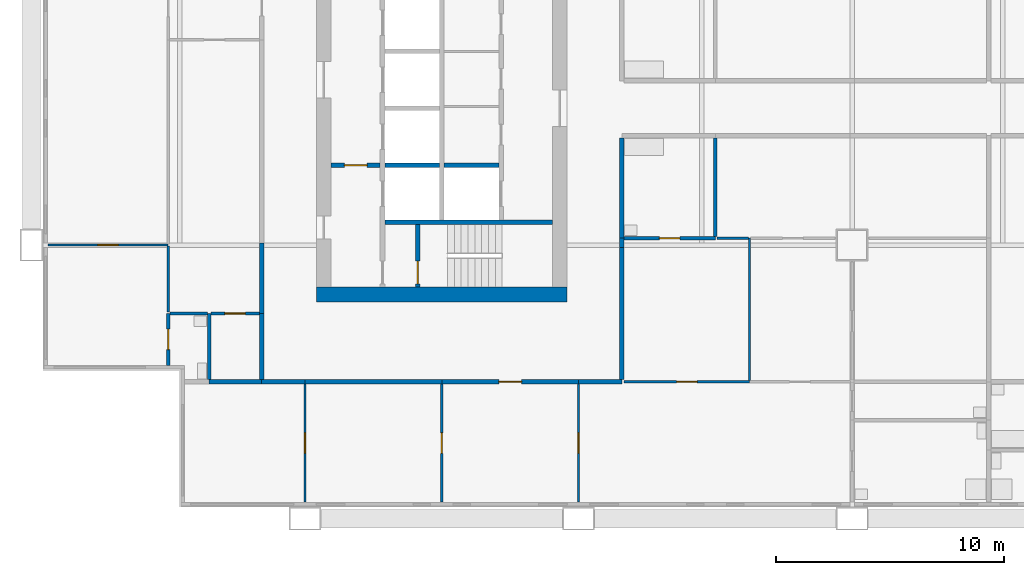
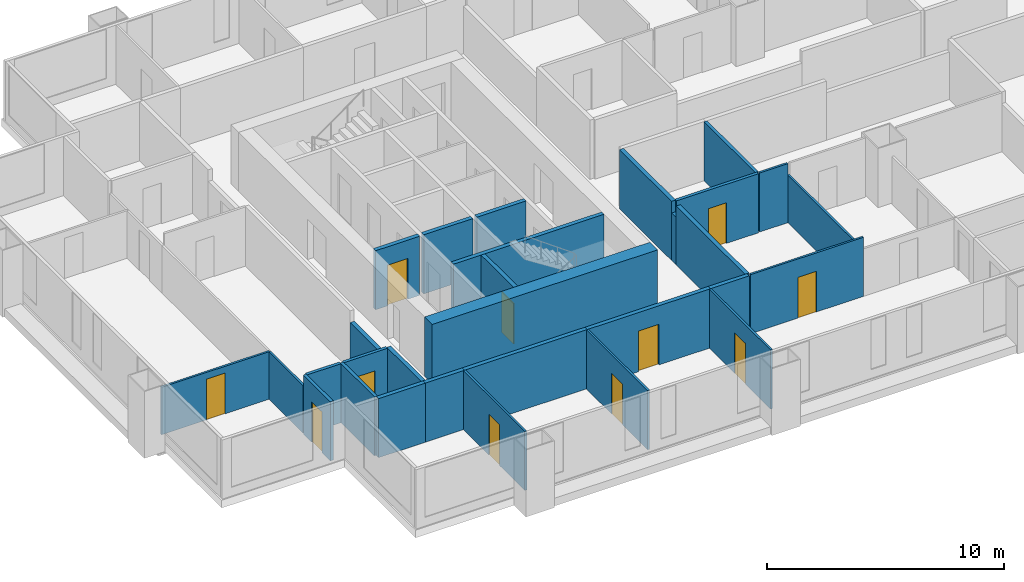
# One storey, part 2 of 11: 30 walls, 11 doors, 11 openings.
"""IFC4 building model written with IfcOpenShell, lengths in metres."""

from ifc_helpers import new_model, si_unit, direction, frame, frame_2d, origin, place, context, subcontext, project, spatial, rectangle, extrude, material, layer, layer_set, type_object, element, fill, save


model = new_model("IFC4")

# Units and contexts
model_context = context("Model", 3, precision=1e-05, world=origin(), true_north=direction((0.0, 1.0)))
body_context = subcontext(model_context, "Body", "Model", "MODEL_VIEW")
ifc_project = project(units=[si_unit("LENGTHUNIT", "METRE"), si_unit("AREAUNIT", "SQUARE_METRE"), si_unit("VOLUMEUNIT", "CUBIC_METRE"), si_unit("PLANEANGLEUNIT", "RADIAN"), si_unit("MASSUNIT", "GRAM", prefix="KILO")], contexts=[model_context])

# Site, building, storey
site_placement = place(None, origin())
site = spatial("IfcSite", under=ifc_project, at=site_placement, CompositionType="ELEMENT")
building_placement = place(site_placement, origin())
building = spatial("IfcBuilding", under=site, at=building_placement, Name="Kitamizu Gate Tower and Museum", CompositionType="ELEMENT")
storey_placement = place(building_placement, frame((0.0, 0.0, 124.199951171875)))
storey = spatial("IfcBuildingStorey", under=building, at=storey_placement, Name="L32", CompositionType="ELEMENT", Elevation=124.199951171875)

# Wall
ifc_material_1 = material(Name="Concrete Fc60", Category="concrete")
ifc_layer_1 = layer(ifc_material_1, 0.64990234375)
ifc_layer_set_1 = layer_set([ifc_layer_1], Name="Concrete Fc60")
wall_type_1 = type_object("IfcWallType", Name="Core wall 650", PredefinedType="SHEAR", material=ifc_layer_set_1)
wall_1_placement = place(storey_placement, frame((12.5, 21.824951171875, 0.0), z_axis=(0.0, 0.0, 1.0), x_axis=(1.0, 0.0, 0.0)))
element("IfcWall", 1, at=wall_1_placement, inside=storey, type_object=wall_type_1, Name="Core wall WS", PredefinedType="SHEAR", context=body_context, shape_type="SweptSolid", body=[
    extrude(rectangle(XDim=11.0, YDim=0.64990234375, at=frame_2d((5.5, 0.0))), origin(), (0.0, 0.0, 1.0), 3.050048828125),
])

# Wall, opening, door
ifc_material_2 = material(Name="Gypsum board on galvanised stud")
ifc_layer_2 = layer(ifc_material_2, 0.10009765625)
ifc_layer_set_2 = layer_set([ifc_layer_2], Name="Gypsum board on galvanised stud")
wall_type_2 = type_object("IfcWallType", Name="Partition 100 NOT RATED", PredefinedType="PARTITIONING", material=ifc_layer_set_2)
wall_2_placement = place(storey_placement, frame((12.0, 12.719970703125, 0.0), z_axis=(0.0, 0.0, 1.0), x_axis=(0.0, 1.0, 0.0)))
wall_2 = element("IfcWall", 2, at=wall_2_placement, inside=storey, type_object=wall_type_2, Name="Partition L32-001", PredefinedType="PARTITIONING", context=body_context, shape_type="SweptSolid", body=[
    extrude(rectangle(XDim=5.179931640625, YDim=0.10009765625, at=frame_2d((2.58984375, 0.0))), origin(), (0.0, 0.0, 1.0), 3.050048828125),
])
opening_1_placement = place(wall_2_placement, frame((2.139892578125, 0.0, 0.0)))
opening_1 = element("IfcOpeningElement", 3, at=opening_1_placement, cuts=wall_2, Name="Opening L32-011", PredefinedType="OPENING", context=body_context, shape_type="SweptSolid", body=[
    extrude(rectangle(XDim=0.89990234375, YDim=2.10009765625, at=frame_2d((0.449951171875, 1.050048828125))), frame((0.0, 0.06005859375, 0.0), z_axis=(0.0, -1.0, 0.0), x_axis=(1.0, 0.0, 0.0)), (0.0, 0.0, 1.0), 0.1201171875),
])
ifc_material_3 = material(Name="Timber door set", Category="wood")
door_type_1 = type_object("IfcDoorType", Name="Room door 900", OperationType="NOTDEFINED", PredefinedType="DOOR", material=ifc_material_3)
door_1_placement = place(opening_1_placement, origin())
door_1 = element("IfcDoor", 4, at=door_1_placement, inside=storey, type_object=door_type_1, Name="Door L32-011", OperationType="SINGLE_SWING_RIGHT", OverallHeight=2.10009765625, OverallWidth=0.89990234375, PredefinedType="DOOR", context=body_context, shape_type="SweptSolid", body=[
    extrude(rectangle(XDim=0.89990234375, YDim=2.10009765625, at=frame_2d((0.449951171875, 1.050048828125))), frame((0.0, 0.02490234375, 0.0), z_axis=(0.0, -1.0, 0.0), x_axis=(1.0, 0.0, 0.0)), (0.0, 0.0, 1.0), 0.050048828125),
])
fill(opening_1, door_1)

wall_3_placement = place(storey_placement, frame((18.0, 12.719970703125, 0.0), z_axis=(0.0, 0.0, 1.0), x_axis=(0.0, 1.0, 0.0)))
wall_3 = element("IfcWall", 5, at=wall_3_placement, inside=storey, type_object=wall_type_2, Name="Partition L32-005", PredefinedType="PARTITIONING", context=body_context, shape_type="SweptSolid", body=[
    extrude(rectangle(XDim=5.179931640625, YDim=0.10009765625, at=frame_2d((2.58984375, 0.0))), origin(), (0.0, 0.0, 1.0), 3.050048828125),
])
opening_2_placement = place(wall_3_placement, frame((2.139892578125, 0.0, 0.0)))
opening_2 = element("IfcOpeningElement", 6, at=opening_2_placement, cuts=wall_3, Name="Opening L32-006", PredefinedType="OPENING", context=body_context, shape_type="SweptSolid", body=[
    extrude(rectangle(XDim=0.89990234375, YDim=2.10009765625, at=frame_2d((0.449951171875, 1.050048828125))), frame((0.0, 0.06005859375, 0.0), z_axis=(0.0, -1.0, 0.0), x_axis=(1.0, 0.0, 0.0)), (0.0, 0.0, 1.0), 0.1201171875),
])
door_2_placement = place(opening_2_placement, origin())
door_2 = element("IfcDoor", 7, at=door_2_placement, inside=storey, type_object=door_type_1, Name="Door L32-006", OperationType="SINGLE_SWING_LEFT", OverallHeight=2.10009765625, OverallWidth=0.89990234375, PredefinedType="DOOR", context=body_context, shape_type="SweptSolid", body=[
    extrude(rectangle(XDim=0.89990234375, YDim=2.10009765625, at=frame_2d((0.449951171875, 1.050048828125))), frame((0.0, 0.02490234375, 0.0), z_axis=(0.0, -1.0, 0.0), x_axis=(1.0, 0.0, 0.0)), (0.0, 0.0, 1.0), 0.050048828125),
])
fill(opening_2, door_2)

wall_4_placement = place(storey_placement, frame((24.0, 12.719970703125, 0.0), z_axis=(0.0, 0.0, 1.0), x_axis=(0.0, 1.0, 0.0)))
wall_4 = element("IfcWall", 8, at=wall_4_placement, inside=storey, type_object=wall_type_2, Name="Partition L32-007", PredefinedType="PARTITIONING", context=body_context, shape_type="SweptSolid", body=[
    extrude(rectangle(XDim=5.179931640625, YDim=0.10009765625, at=frame_2d((2.58984375, 0.0))), origin(), (0.0, 0.0, 1.0), 3.050048828125),
])
opening_3_placement = place(wall_4_placement, frame((2.139892578125, 0.0, 0.0)))
opening_3 = element("IfcOpeningElement", 9, at=opening_3_placement, cuts=wall_4, Name="Opening L32-002", PredefinedType="OPENING", context=body_context, shape_type="SweptSolid", body=[
    extrude(rectangle(XDim=0.89990234375, YDim=2.10009765625, at=frame_2d((0.449951171875, 1.050048828125))), frame((0.0, 0.06005859375, 0.0), z_axis=(0.0, -1.0, 0.0), x_axis=(1.0, 0.0, 0.0)), (0.0, 0.0, 1.0), 0.1201171875),
])
door_3_placement = place(opening_3_placement, frame((0.89990234375, 0.0, 0.0), x_axis=(-1.0, 0.0, 0.0)))
door_3 = element("IfcDoor", 10, at=door_3_placement, inside=storey, type_object=door_type_1, Name="Door L32-002", OperationType="SINGLE_SWING_RIGHT", OverallHeight=2.10009765625, OverallWidth=0.89990234375, PredefinedType="DOOR", context=body_context, shape_type="SweptSolid", body=[
    extrude(rectangle(XDim=0.89990234375, YDim=2.10009765625, at=frame_2d((0.449951171875, 1.050048828125))), frame((0.0, 0.02490234375, 0.0), z_axis=(0.0, -1.0, 0.0), x_axis=(1.0, 0.0, 0.0)), (0.0, 0.0, 1.0), 0.050048828125),
])
fill(opening_3, door_3)

wall_5_placement = place(storey_placement, frame((31.5, 18.0, 0.0), z_axis=(0.0, 0.0, 1.0), x_axis=(-1.0, 0.0, 0.0)))
wall_5 = element("IfcWall", 11, at=wall_5_placement, inside=storey, type_object=wall_type_2, Name="Partition L32-011", PredefinedType="PARTITIONING", context=body_context, shape_type="SweptSolid", body=[
    extrude(rectangle(XDim=5.5, YDim=0.10009765625, at=frame_2d((2.75, 0.0))), origin(), (0.0, 0.0, 1.0), 3.050048828125),
])
opening_4_placement = place(wall_5_placement, frame((2.300048828125, 0.0, 0.0)))
opening_4 = element("IfcOpeningElement", 12, at=opening_4_placement, cuts=wall_5, Name="Opening L32-003", PredefinedType="OPENING", context=body_context, shape_type="SweptSolid", body=[
    extrude(rectangle(XDim=0.89990234375, YDim=2.10009765625, at=frame_2d((0.449951171875, 1.050048828125))), frame((0.0, 0.06005859375, 0.0), z_axis=(0.0, -1.0, 0.0), x_axis=(1.0, 0.0, 0.0)), (0.0, 0.0, 1.0), 0.1201171875),
])
door_4_placement = place(opening_4_placement, frame((0.89990234375, 0.0, 0.0), x_axis=(-1.0, 0.0, 0.0)))
door_4 = element("IfcDoor", 13, at=door_4_placement, inside=storey, type_object=door_type_1, Name="Door L32-003", OperationType="SINGLE_SWING_LEFT", OverallHeight=2.10009765625, OverallWidth=0.89990234375, PredefinedType="DOOR", context=body_context, shape_type="SweptSolid", body=[
    extrude(rectangle(XDim=0.89990234375, YDim=2.10009765625, at=frame_2d((0.449951171875, 1.050048828125))), frame((0.0, 0.02490234375, 0.0), z_axis=(0.0, -1.0, 0.0), x_axis=(1.0, 0.0, 0.0)), (0.0, 0.0, 1.0), 0.050048828125),
])
fill(opening_4, door_4)

# Walls
wall_6_placement = place(storey_placement, frame((31.5, 18.050048828125, 0.0), z_axis=(0.0, 0.0, 1.0), x_axis=(0.0, 1.0, 0.0)))
element("IfcWall", 14, at=wall_6_placement, inside=storey, type_object=wall_type_2, Name="Partition L32-019", PredefinedType="PARTITIONING", context=body_context, shape_type="SweptSolid", body=[
    extrude(rectangle(XDim=6.25, YDim=0.10009765625, at=frame_2d((3.125, 0.0))), origin(), (0.0, 0.0, 1.0), 2.449951171875),
])
wall_7_placement = place(storey_placement, frame((31.449951171875, 24.300048828125, 0.0), z_axis=(0.0, 0.0, 1.0), x_axis=(-1.0, 0.0, 0.0)))
element("IfcWall", 15, at=wall_7_placement, inside=storey, type_object=wall_type_2, Name="Partition L32-021", PredefinedType="PARTITIONING", context=body_context, shape_type="SweptSolid", body=[
    extrude(rectangle(XDim=1.375, YDim=0.10009765625, at=frame_2d((0.6875, 0.0))), origin(), (0.0, 0.0, 1.0), 3.050048828125),
])

# Wall, opening, door
wall_8_placement = place(storey_placement, frame((6.0, 24.0, 0.0), z_axis=(0.0, 0.0, 1.0), x_axis=(-1.0, 0.0, 0.0)))
wall_8 = element("IfcWall", 16, at=wall_8_placement, inside=storey, type_object=wall_type_2, Name="Partition L32-034", PredefinedType="PARTITIONING", context=body_context, shape_type="SweptSolid", body=[
    extrude(rectangle(XDim=5.280029296875, YDim=0.10009765625, at=frame_2d((2.64013671875, 0.0))), origin(), (0.0, 0.0, 1.0), 2.449951171875),
])
opening_5_placement = place(wall_8_placement, frame((2.18994140625, 0.0, 0.0)))
opening_5 = element("IfcOpeningElement", 17, at=opening_5_placement, cuts=wall_8, Name="Opening L32-015", PredefinedType="OPENING", context=body_context, shape_type="SweptSolid", body=[
    extrude(rectangle(XDim=0.89990234375, YDim=2.10009765625, at=frame_2d((0.449951171875, 1.050048828125))), frame((0.0, 0.06005859375, 0.0), z_axis=(0.0, -1.0, 0.0), x_axis=(1.0, 0.0, 0.0)), (0.0, 0.0, 1.0), 0.1201171875),
])
door_5_placement = place(opening_5_placement, origin())
door_5 = element("IfcDoor", 18, at=door_5_placement, inside=storey, type_object=door_type_1, Name="Door L32-015", OperationType="SINGLE_SWING_RIGHT", OverallHeight=2.10009765625, OverallWidth=0.89990234375, PredefinedType="DOOR", context=body_context, shape_type="SweptSolid", body=[
    extrude(rectangle(XDim=0.89990234375, YDim=2.10009765625, at=frame_2d((0.449951171875, 1.050048828125))), frame((0.0, 0.02490234375, 0.0), z_axis=(0.0, -1.0, 0.0), x_axis=(1.0, 0.0, 0.0)), (0.0, 0.0, 1.0), 0.050048828125),
])
fill(opening_5, door_5)

# Wall
wall_9_placement = place(storey_placement, frame((6.0, 21.074951171875, 0.0), z_axis=(0.0, 0.0, 1.0), x_axis=(0.0, 1.0, 0.0)))
element("IfcWall", 19, at=wall_9_placement, inside=storey, type_object=wall_type_2, Name="Partition L32-036", PredefinedType="PARTITIONING", context=body_context, shape_type="SweptSolid", body=[
    extrude(rectangle(XDim=2.875, YDim=0.10009765625, at=frame_2d((1.4375, 0.0))), origin(), (0.0, 0.0, 1.0), 2.449951171875),
])

# Wall, opening, door
ifc_material_4 = material(Name="Gypsum board on galvanised stud")
ifc_layer_3 = layer(ifc_material_4, 0.14990234375)
ifc_layer_set_3 = layer_set([ifc_layer_3], Name="Gypsum board on galvanised stud")
wall_type_3 = type_object("IfcWallType", Name="Partition 150", PredefinedType="PARTITIONING", material=ifc_layer_set_3)
wall_10_placement = place(storey_placement, frame((30.0, 24.300048828125, 0.0), z_axis=(0.0, 0.0, 1.0), x_axis=(-1.0, 0.0, 0.0)))
wall_10 = element("IfcWall", 20, at=wall_10_placement, inside=storey, type_object=wall_type_3, Name="Partition L32-020", PredefinedType="PARTITIONING", context=body_context, shape_type="SweptSolid", body=[
    extrude(rectangle(XDim=4.0, YDim=0.14990234375, at=frame_2d((2.0, 0.0))), origin(), (0.0, 0.0, 1.0), 3.050048828125),
])
opening_6_placement = place(wall_10_placement, frame((1.550048828125, 0.0, 0.0)))
opening_6 = element("IfcOpeningElement", 21, at=opening_6_placement, cuts=wall_10, Name="Opening L32-009", PredefinedType="OPENING", context=body_context, shape_type="SweptSolid", body=[
    extrude(rectangle(XDim=0.89990234375, YDim=2.10009765625, at=frame_2d((0.449951171875, 1.050048828125))), frame((0.0, 0.0849609375, 0.0), z_axis=(0.0, -1.0, 0.0), x_axis=(1.0, 0.0, 0.0)), (0.0, 0.0, 1.0), 0.169921875),
])
ifc_material_5 = material(Name="Timber door set", Category="wood")
door_type_2 = type_object("IfcDoorType", Name="Bathroom door 900", OperationType="NOTDEFINED", PredefinedType="DOOR", material=ifc_material_5)
door_6_placement = place(opening_6_placement, frame((0.89990234375, 0.0, 0.0), x_axis=(-1.0, 0.0, 0.0)))
door_6 = element("IfcDoor", 22, at=door_6_placement, inside=storey, type_object=door_type_2, Name="Bathroom door L32-009", OperationType="SINGLE_SWING_LEFT", OverallHeight=2.10009765625, OverallWidth=0.89990234375, PredefinedType="DOOR", context=body_context, shape_type="SweptSolid", body=[
    extrude(rectangle(XDim=0.89990234375, YDim=2.10009765625, at=frame_2d((0.449951171875, 1.050048828125))), frame((0.0, 0.02490234375, 0.0), z_axis=(0.0, -1.0, 0.0), x_axis=(1.0, 0.0, 0.0)), (0.0, 0.0, 1.0), 0.050048828125),
])
fill(opening_6, door_6)

# Wall
wall_11_placement = place(storey_placement, frame((30.0, 24.375, 0.0), z_axis=(0.0, 0.0, 1.0), x_axis=(0.0, 1.0, 0.0)))
element("IfcWall", 23, at=wall_11_placement, inside=storey, type_object=wall_type_3, Name="Partition L32-028", PredefinedType="PARTITIONING", context=body_context, shape_type="SweptSolid", body=[
    extrude(rectangle(XDim=4.324951171875, YDim=0.14990234375, at=frame_2d((2.16259765625, 0.0))), origin(), (0.0, 0.0, 1.0), 3.050048828125),
])

# Wall, opening, door
wall_12_placement = place(storey_placement, frame((6.0, 18.719970703125, 0.0), z_axis=(0.0, 0.0, 1.0), x_axis=(0.0, 1.0, 0.0)))
wall_12 = element("IfcWall", 24, at=wall_12_placement, inside=storey, type_object=wall_type_3, Name="Partition L32-035", PredefinedType="PARTITIONING", context=body_context, shape_type="SweptSolid", body=[
    extrude(rectangle(XDim=2.280029296875, YDim=0.14990234375, at=frame_2d((1.14013671875, 0.0))), origin(), (0.0, 0.0, 1.0), 3.050048828125),
])
opening_7_placement = place(wall_12_placement, frame((0.68994140625, 0.0, 0.0)))
opening_7 = element("IfcOpeningElement", 25, at=opening_7_placement, cuts=wall_12, Name="Opening L32-017", PredefinedType="OPENING", context=body_context, shape_type="SweptSolid", body=[
    extrude(rectangle(XDim=0.89990234375, YDim=2.10009765625, at=frame_2d((0.449951171875, 1.050048828125))), frame((0.0, 0.0849609375, 0.0), z_axis=(0.0, -1.0, 0.0), x_axis=(1.0, 0.0, 0.0)), (0.0, 0.0, 1.0), 0.169921875),
])
door_7_placement = place(opening_7_placement, frame((0.89990234375, 0.0, 0.0), x_axis=(-1.0, 0.0, 0.0)))
door_7 = element("IfcDoor", 26, at=door_7_placement, inside=storey, type_object=door_type_2, Name="Bathroom door L32-017", OperationType="SINGLE_SWING_LEFT", OverallHeight=2.10009765625, OverallWidth=0.89990234375, PredefinedType="DOOR", context=body_context, shape_type="SweptSolid", body=[
    extrude(rectangle(XDim=0.89990234375, YDim=2.10009765625, at=frame_2d((0.449951171875, 1.050048828125))), frame((0.0, 0.02490234375, 0.0), z_axis=(0.0, -1.0, 0.0), x_axis=(1.0, 0.0, 0.0)), (0.0, 0.0, 1.0), 0.050048828125),
])
fill(opening_7, door_7)

# Walls
wall_13_placement = place(storey_placement, frame((7.800048828125, 18.10009765625, 0.0), z_axis=(0.0, 0.0, 1.0), x_axis=(0.0, 1.0, 0.0)))
element("IfcWall", 27, at=wall_13_placement, inside=storey, type_object=wall_type_3, Name="Partition L32-042", PredefinedType="PARTITIONING", context=body_context, shape_type="SweptSolid", body=[
    extrude(rectangle(XDim=2.89990234375, YDim=0.14990234375, at=frame_2d((1.449951171875, 0.0))), origin(), (0.0, 0.0, 1.0), 3.050048828125),
])
wall_14_placement = place(storey_placement, frame((7.72509765625, 21.0, 0.0), z_axis=(0.0, 0.0, 1.0), x_axis=(-1.0, 0.0, 0.0)))
element("IfcWall", 28, at=wall_14_placement, inside=storey, type_object=wall_type_3, Name="Partition L32-043", PredefinedType="PARTITIONING", context=body_context, shape_type="SweptSolid", body=[
    extrude(rectangle(XDim=1.650146484375, YDim=0.14990234375, at=frame_2d((0.8251953125, 0.0))), origin(), (0.0, 0.0, 1.0), 3.050048828125),
])

# Wall, opening, door
wall_15_placement = place(storey_placement, frame((10.0, 21.0, 0.0), z_axis=(0.0, 0.0, 1.0), x_axis=(-1.0, 0.0, 0.0)))
wall_15 = element("IfcWall", 29, at=wall_15_placement, inside=storey, type_object=wall_type_3, Name="Partition L32-044", PredefinedType="PARTITIONING", context=body_context, shape_type="SweptSolid", body=[
    extrude(rectangle(XDim=2.125, YDim=0.14990234375, at=frame_2d((1.0625, 0.0))), origin(), (0.0, 0.0, 1.0), 3.050048828125),
])
opening_8_placement = place(wall_15_placement, frame((0.612548828125, 0.0, 0.0)))
opening_8 = element("IfcOpeningElement", 30, at=opening_8_placement, cuts=wall_15, Name="Opening L32-018", PredefinedType="OPENING", context=body_context, shape_type="SweptSolid", body=[
    extrude(rectangle(XDim=0.89990234375, YDim=2.10009765625, at=frame_2d((0.449951171875, 1.050048828125))), frame((0.0, 0.0849609375, 0.0), z_axis=(0.0, -1.0, 0.0), x_axis=(1.0, 0.0, 0.0)), (0.0, 0.0, 1.0), 0.169921875),
])
door_8_placement = place(opening_8_placement, origin())
door_8 = element("IfcDoor", 31, at=door_8_placement, inside=storey, type_object=door_type_2, Name="Bathroom door L32-018", OperationType="SINGLE_SWING_LEFT", OverallHeight=2.10009765625, OverallWidth=0.89990234375, PredefinedType="DOOR", context=body_context, shape_type="SweptSolid", body=[
    extrude(rectangle(XDim=0.89990234375, YDim=2.10009765625, at=frame_2d((0.449951171875, 1.050048828125))), frame((0.0, 0.02490234375, 0.0), z_axis=(0.0, -1.0, 0.0), x_axis=(1.0, 0.0, 0.0)), (0.0, 0.0, 1.0), 0.050048828125),
])
fill(opening_8, door_8)

# Walls
ifc_material_6 = material(Name="Gypsum board on galvanised stud")
ifc_layer_4 = layer(ifc_material_6, 0.199951171875)
ifc_layer_set_4 = layer_set([ifc_layer_4], Name="Gypsum board on galvanised stud")
wall_type_4 = type_object("IfcWallType", Name="Partition 200", PredefinedType="PARTITIONING", material=ifc_layer_set_4)
wall_16_placement = place(storey_placement, frame((10.10009765625, 18.0, 0.0), z_axis=(0.0, 0.0, 1.0), x_axis=(-1.0, 0.0, 0.0)))
element("IfcWall", 32, at=wall_16_placement, inside=storey, type_object=wall_type_4, Name="Partition L32-003", PredefinedType="PARTITIONING", context=body_context, shape_type="SweptSolid", body=[
    extrude(rectangle(XDim=2.300048828125, YDim=0.199951171875, at=frame_2d((1.14990234375, 0.0))), origin(), (0.0, 0.0, 1.0), 3.050048828125),
])
wall_17_placement = place(storey_placement, frame((12.0, 18.0, 0.0), z_axis=(0.0, 0.0, 1.0), x_axis=(-1.0, 0.0, 0.0)))
element("IfcWall", 33, at=wall_17_placement, inside=storey, type_object=wall_type_4, Name="Partition L32-004", PredefinedType="PARTITIONING", context=body_context, shape_type="SweptSolid", body=[
    extrude(rectangle(XDim=1.89990234375, YDim=0.199951171875, at=frame_2d((0.949951171875, 0.0))), origin(), (0.0, 0.0, 1.0), 3.050048828125),
])
wall_18_placement = place(storey_placement, frame((18.0, 18.0, 0.0), z_axis=(0.0, 0.0, 1.0), x_axis=(-1.0, 0.0, 0.0)))
element("IfcWall", 34, at=wall_18_placement, inside=storey, type_object=wall_type_4, Name="Partition L32-006", PredefinedType="PARTITIONING", context=body_context, shape_type="SweptSolid", body=[
    extrude(rectangle(XDim=6.0, YDim=0.199951171875, at=frame_2d((3.0, 0.0))), origin(), (0.0, 0.0, 1.0), 3.050048828125),
])

# Wall, opening, door
wall_19_placement = place(storey_placement, frame((24.0, 18.0, 0.0), z_axis=(0.0, 0.0, 1.0), x_axis=(-1.0, 0.0, 0.0)))
wall_19 = element("IfcWall", 35, at=wall_19_placement, inside=storey, type_object=wall_type_4, Name="Partition L32-008", PredefinedType="PARTITIONING", context=body_context, shape_type="SweptSolid", body=[
    extrude(rectangle(XDim=6.0, YDim=0.199951171875, at=frame_2d((3.0, 0.0))), origin(), (0.0, 0.0, 1.0), 3.050048828125),
])
opening_9_placement = place(wall_19_placement, frame((2.5, 0.0, 0.0)))
opening_9 = element("IfcOpeningElement", 36, at=opening_9_placement, cuts=wall_19, Name="Opening L32-001", PredefinedType="OPENING", context=body_context, shape_type="SweptSolid", body=[
    extrude(rectangle(XDim=1.0, YDim=2.10009765625, at=frame_2d((0.5, 1.050048828125))), frame((0.0, 0.10986328125, 0.0), z_axis=(0.0, -1.0, 0.0), x_axis=(1.0, 0.0, 0.0)), (0.0, 0.0, 1.0), 0.219970703125),
])
ifc_material_7 = material(Name="Timber door set", Category="wood")
door_type_3 = type_object("IfcDoorType", Name="Flat entrance door 1000", OperationType="NOTDEFINED", PredefinedType="DOOR", material=ifc_material_7)
door_9_placement = place(opening_9_placement, origin())
door_9 = element("IfcDoor", 37, at=door_9_placement, inside=storey, type_object=door_type_3, Name="Flat entrance door L32-001", OperationType="SINGLE_SWING_RIGHT", OverallHeight=2.10009765625, OverallWidth=1.0, PredefinedType="DOOR", context=body_context, shape_type="SweptSolid", body=[
    extrude(rectangle(XDim=1.0, YDim=2.10009765625, at=frame_2d((0.5, 1.050048828125))), frame((0.0, 0.02490234375, 0.0), z_axis=(0.0, -1.0, 0.0), x_axis=(1.0, 0.0, 0.0)), (0.0, 0.0, 1.0), 0.050048828125),
])
fill(opening_9, door_9)

# Walls
wall_20_placement = place(storey_placement, frame((25.89990234375, 18.0, 0.0), z_axis=(0.0, 0.0, 1.0), x_axis=(-1.0, 0.0, 0.0)))
element("IfcWall", 38, at=wall_20_placement, inside=storey, type_object=wall_type_4, Name="Partition L32-013", PredefinedType="PARTITIONING", context=body_context, shape_type="SweptSolid", body=[
    extrude(rectangle(XDim=1.89990234375, YDim=0.199951171875, at=frame_2d((0.949951171875, 0.0))), origin(), (0.0, 0.0, 1.0), 3.050048828125),
])
wall_21_placement = place(storey_placement, frame((25.89990234375, 24.300048828125, 0.0), z_axis=(0.0, 0.0, 1.0), x_axis=(0.0, -1.0, 0.0)))
element("IfcWall", 39, at=wall_21_placement, inside=storey, type_object=wall_type_4, Name="Partition L32-022", PredefinedType="PARTITIONING", context=body_context, shape_type="SweptSolid", body=[
    extrude(rectangle(XDim=0.400146484375, YDim=0.199951171875, at=frame_2d((0.2001953125, 0.0))), origin(), (0.0, 0.0, 1.0), 2.449951171875),
])
wall_22_placement = place(storey_placement, frame((25.89990234375, 23.89990234375, 0.0), z_axis=(0.0, 0.0, 1.0), x_axis=(0.0, -1.0, 0.0)))
element("IfcWall", 40, at=wall_22_placement, inside=storey, type_object=wall_type_4, Name="Partition L32-023", PredefinedType="PARTITIONING", context=body_context, shape_type="SweptSolid", body=[
    extrude(rectangle(XDim=5.7998046875, YDim=0.199951171875, at=frame_2d((2.89990234375, 0.0))), origin(), (0.0, 0.0, 1.0), 3.050048828125),
])
wall_23_placement = place(storey_placement, frame((25.89990234375, 28.699951171875, 0.0), z_axis=(0.0, 0.0, 1.0), x_axis=(0.0, -1.0, 0.0)))
element("IfcWall", 41, at=wall_23_placement, inside=storey, type_object=wall_type_4, Name="Partition L32-030", PredefinedType="PARTITIONING", context=body_context, shape_type="SweptSolid", body=[
    extrude(rectangle(XDim=4.39990234375, YDim=0.199951171875, at=frame_2d((2.199951171875, 0.0))), origin(), (0.0, 0.0, 1.0), 3.050048828125),
])
wall_24_placement = place(storey_placement, frame((10.10009765625, 18.10009765625, 0.0), z_axis=(0.0, 0.0, 1.0), x_axis=(0.0, 1.0, 0.0)))
element("IfcWall", 42, at=wall_24_placement, inside=storey, type_object=wall_type_4, Name="Partition L32-045", PredefinedType="PARTITIONING", context=body_context, shape_type="SweptSolid", body=[
    extrude(rectangle(XDim=2.89990234375, YDim=0.199951171875, at=frame_2d((1.449951171875, 0.0))), origin(), (0.0, 0.0, 1.0), 3.050048828125),
])
wall_25_placement = place(storey_placement, frame((10.10009765625, 21.0, 0.0), z_axis=(0.0, 0.0, 1.0), x_axis=(0.0, 1.0, 0.0)))
element("IfcWall", 43, at=wall_25_placement, inside=storey, type_object=wall_type_4, Name="Partition L32-047", PredefinedType="PARTITIONING", context=body_context, shape_type="SweptSolid", body=[
    extrude(rectangle(XDim=3.10009765625, YDim=0.199951171875, at=frame_2d((1.550048828125, 0.0))), origin(), (0.0, 0.0, 1.0), 2.449951171875),
])
ifc_material_8 = material(Name="Concrete Fc42", Category="concrete")
ifc_layer_5 = layer(ifc_material_8, 0.199951171875)
ifc_layer_set_5 = layer_set([ifc_layer_5], Name="Concrete Fc42")
wall_type_5 = type_object("IfcWallType", Name="Shaft wall 200", PredefinedType="SOLIDWALL", material=ifc_layer_set_5)
wall_26_placement = place(storey_placement, frame((15.5, 25.0, 0.0), z_axis=(0.0, 0.0, 1.0), x_axis=(1.0, 0.0, 0.0)))
element("IfcWall", 44, at=wall_26_placement, inside=storey, type_object=wall_type_5, Name="Shaft wall WSB", PredefinedType="SOLIDWALL", context=body_context, shape_type="SweptSolid", body=[
    extrude(rectangle(XDim=7.35009765625, YDim=0.199951171875, at=frame_2d((3.675048828125, 0.0))), origin(), (0.0, 0.0, 1.0), 3.050048828125),
])

# Wall, opening, door
wall_27_placement = place(storey_placement, frame((13.14990234375, 27.5, 0.0), z_axis=(0.0, 0.0, 1.0), x_axis=(1.0, 0.0, 0.0)))
wall_27 = element("IfcWall", 45, at=wall_27_placement, inside=storey, type_object=wall_type_5, Name="Shaft wall WFFN", PredefinedType="SOLIDWALL", context=body_context, shape_type="SweptSolid", body=[
    extrude(rectangle(XDim=2.150146484375, YDim=0.199951171875, at=frame_2d((1.0751953125, 0.0))), origin(), (0.0, 0.0, 1.0), 3.050048828125),
])
opening_10_placement = place(wall_27_placement, frame((0.574951171875, 0.0, 0.0)))
opening_10 = element("IfcOpeningElement", 46, at=opening_10_placement, cuts=wall_27, Name="Opening L32-052", PredefinedType="OPENING", context=body_context, shape_type="SweptSolid", body=[
    extrude(rectangle(XDim=1.0, YDim=2.10009765625, at=frame_2d((0.5, 1.050048828125))), frame((0.0, 0.10986328125, 0.0), z_axis=(0.0, -1.0, 0.0), x_axis=(1.0, 0.0, 0.0)), (0.0, 0.0, 1.0), 0.219970703125),
])
ifc_material_9 = material(Name="Hollow metal door set")
door_type_4 = type_object("IfcDoorType", Name="Fire door 1000", OperationType="NOTDEFINED", PredefinedType="DOOR", material=ifc_material_9)
door_10_placement = place(opening_10_placement, frame((1.0, 0.0, 0.0), x_axis=(-1.0, 0.0, 0.0)))
door_10 = element("IfcDoor", 47, at=door_10_placement, inside=storey, type_object=door_type_4, Name="Fire-fighting lobby door L32-052", OperationType="SINGLE_SWING_RIGHT", OverallHeight=2.10009765625, OverallWidth=1.0, PredefinedType="DOOR", context=body_context, shape_type="SweptSolid", body=[
    extrude(rectangle(XDim=1.0, YDim=2.10009765625, at=frame_2d((0.5, 1.050048828125))), frame((0.0, 0.02490234375, 0.0), z_axis=(0.0, -1.0, 0.0), x_axis=(1.0, 0.0, 0.0)), (0.0, 0.0, 1.0), 0.050048828125),
])
fill(opening_10, door_10)

wall_28_placement = place(storey_placement, frame((16.949951171875, 22.14990234375, 0.0), z_axis=(0.0, 0.0, 1.0), x_axis=(0.0, 1.0, 0.0)))
wall_28 = element("IfcWall", 48, at=wall_28_placement, inside=storey, type_object=wall_type_5, Name="Shaft wall WSZ", PredefinedType="SOLIDWALL", context=body_context, shape_type="SweptSolid", body=[
    extrude(rectangle(XDim=2.75, YDim=0.199951171875, at=frame_2d((1.375, 0.0))), origin(), (0.0, 0.0, 1.0), 3.050048828125),
])
opening_11_placement = place(wall_28_placement, frame((0.14990234375, 0.0, 0.0)))
opening_11 = element("IfcOpeningElement", 49, at=opening_11_placement, cuts=wall_28, Name="Opening L32-048", PredefinedType="OPENING", context=body_context, shape_type="SweptSolid", body=[
    extrude(rectangle(XDim=1.0, YDim=2.10009765625, at=frame_2d((0.5, 1.050048828125))), frame((0.0, 0.10986328125, 0.0), z_axis=(0.0, -1.0, 0.0), x_axis=(1.0, 0.0, 0.0)), (0.0, 0.0, 1.0), 0.219970703125),
])
door_11_placement = place(opening_11_placement, frame((1.0, 0.0, 0.0), x_axis=(-1.0, 0.0, 0.0)))
door_11 = element("IfcDoor", 50, at=door_11_placement, inside=storey, type_object=door_type_4, Name="Stair door L32-048", OperationType="SINGLE_SWING_LEFT", OverallHeight=2.10009765625, OverallWidth=1.0, PredefinedType="DOOR", context=body_context, shape_type="SweptSolid", body=[
    extrude(rectangle(XDim=1.0, YDim=2.10009765625, at=frame_2d((0.5, 1.050048828125))), frame((0.0, 0.02490234375, 0.0), z_axis=(0.0, -1.0, 0.0), x_axis=(1.0, 0.0, 0.0)), (0.0, 0.0, 1.0), 0.050048828125),
])
fill(opening_11, door_11)

# Walls
for number, where, z_axis, x_axis, name in (
    (51, (15.5, 27.5, 0.0), (0.0, 0.0, 1.0), (1.0, 0.0, 0.0), "Shaft wall WDVW0"),
    (52, (18.10009765625, 27.5, 0.0), (0.0, 0.0, 1.0), (1.0, 0.0, 0.0), "Shaft wall WDVE0"),
):
    element("IfcWall", number, at=place(storey_placement, frame(where, z_axis=z_axis, x_axis=x_axis)), inside=storey, type_object=wall_type_5, Name=name, PredefinedType="SOLIDWALL", context=body_context, shape_type="SweptSolid", body=[
        extrude(rectangle(XDim=2.39990234375, YDim=0.199951171875, at=frame_2d((1.199951171875, 0.0))), origin(), (0.0, 0.0, 1.0), 3.050048828125),
    ])

save(model, "model.ifc")
